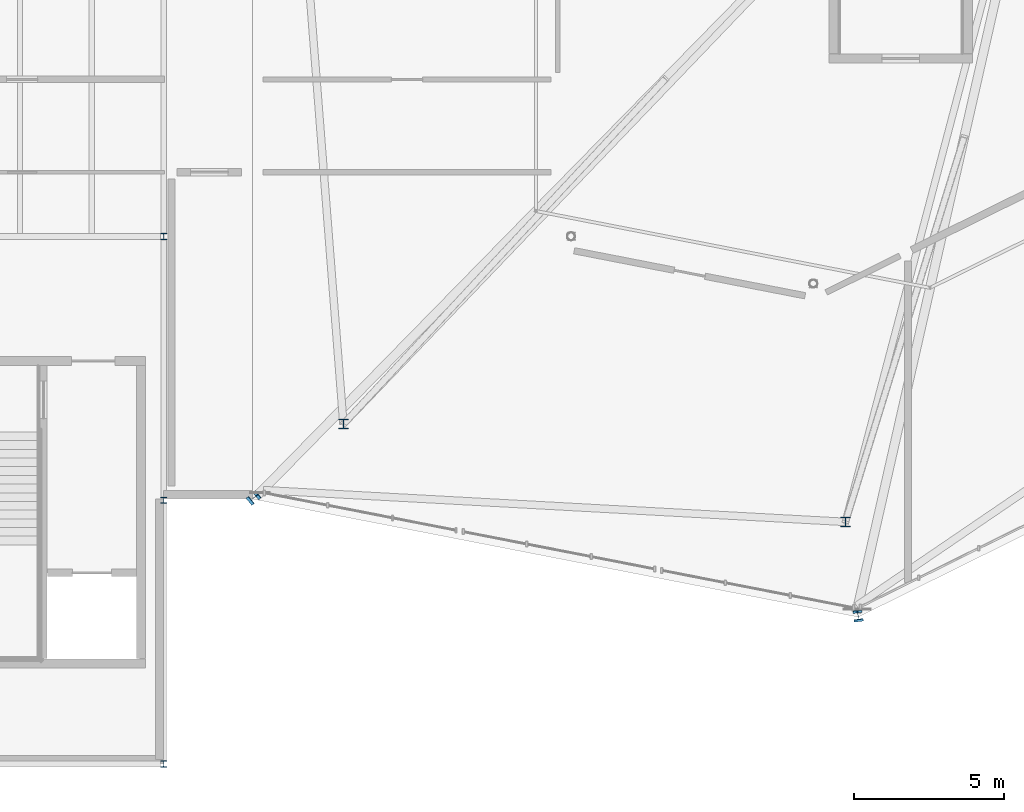
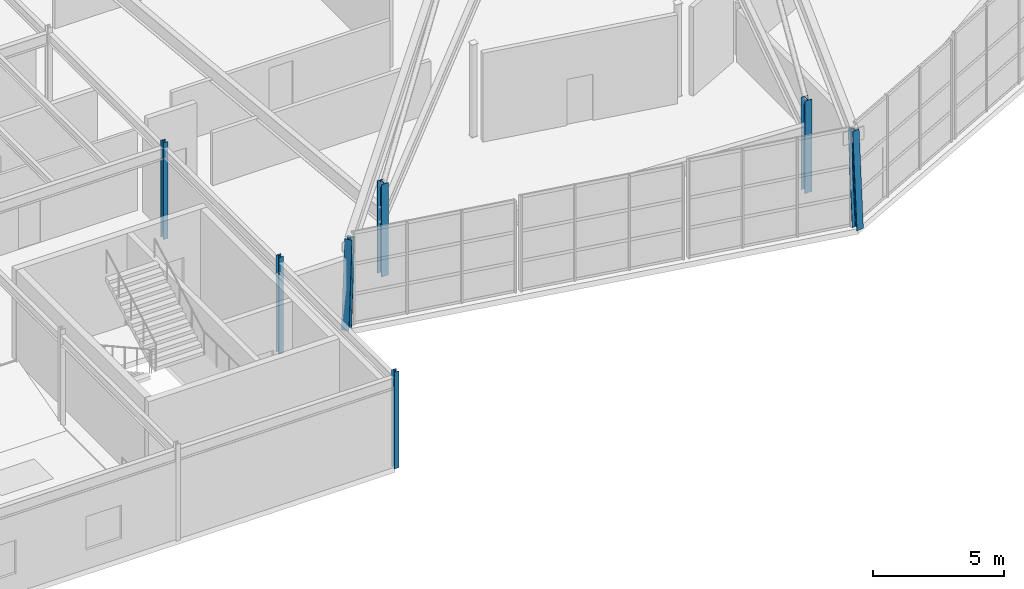
# One storey, part 5 of 50: 7 columns.
"""IFC4 building model written with IfcOpenShell, lengths in metres."""

from ifc_helpers import new_model, si_unit, direction, frame, origin, origin_2d, place, context, subcontext, project, spatial, i_section, extrude, material, material_profile, profile_set, type_object, element, save


model = new_model("IFC4")

# Units and contexts
model_context = context("Model", 3, precision=1e-05, world=origin(), true_north=direction((0.0, 1.0)))
body_context = subcontext(model_context, "Body", "Model", "MODEL_VIEW")
ifc_project = project(units=[si_unit("LENGTHUNIT", "METRE"), si_unit("AREAUNIT", "SQUARE_METRE"), si_unit("VOLUMEUNIT", "CUBIC_METRE"), si_unit("PLANEANGLEUNIT", "RADIAN"), si_unit("MASSUNIT", "GRAM", prefix="KILO")], contexts=[model_context])

# Site, building, storey
site_placement = place(None, origin())
site = spatial("IfcSite", under=ifc_project, at=site_placement, CompositionType="ELEMENT")
building_placement = place(site_placement, origin())
building = spatial("IfcBuilding", under=site, at=building_placement, Name="Sarnbrook Museum", CompositionType="ELEMENT")
storey_placement = place(building_placement, frame((0.0, 0.0, 28.10009765625)))
storey = spatial("IfcBuildingStorey", under=building, at=storey_placement, Name="L05", CompositionType="ELEMENT", Elevation=28.10009765625)

# Columns
ifc_material = material(Name="Structural Steel Grade 300PLUS (AS/NZS 3679.1, fy = 280 MPa for 17 < t <= 40 mm, 300 MPa for t <= 17 mm)", Category="steel")
ifc_material_profile_1 = material_profile(ifc_material, i_section(OverallWidth=0.205078125, OverallDepth=0.2099609375, WebThickness=0.00927734375, FlangeThickness=0.01416015625, FilletRadius=0.01025390625, at=origin_2d()), Name="200UC59.5")
ifc_profile_set_1 = profile_set([ifc_material_profile_1], Name="Structural Steel Grade 300PLUS (AS/NZS 3679.1, fy = 280 MPa for 17 < t <= 40 mm, 300 MPa for t <= 17 mm)")
column_type_1 = type_object("IfcColumnType", Name="COL-UC200", PredefinedType="COLUMN", material=ifc_profile_set_1)
for number, where, z_axis, x_axis, name in (
    (1, (119.199951171875, 56.800048828125, 0.0), (0.0, 0.0, 1.0), (1.0, 0.0, 0.0), "Column 13-G L05"),
    (2, (119.199951171875, 65.60009765625, 0.0), (0.0, 0.0, 1.0), (1.0, 0.0, 0.0), "Column 13-H L05"),
    (3, (119.199951171875, 74.39990234375, 0.0), (0.0, 0.0, 1.0), (1.0, 0.0, 0.0), "Column 13-J L05"),
):
    element("IfcColumn", number, at=place(storey_placement, frame(where, z_axis=z_axis, x_axis=x_axis)), inside=storey, type_object=column_type_1, Name=name, PredefinedType="COLUMN", context=body_context, shape_type="SweptSolid", body=[
        extrude(i_section(OverallWidth=0.205078125, OverallDepth=0.2099609375, WebThickness=0.00927734375, FlangeThickness=0.01416015625, FilletRadius=0.01025390625, at=origin_2d()), origin(), (0.0, 0.0, 1.0), 4.5),
    ])
ifc_material_profile_2 = material_profile(ifc_material, i_section(OverallWidth=0.306884765625, OverallDepth=0.31494140625, WebThickness=0.011962890625, FlangeThickness=0.018798828125, FilletRadius=0.0166015625, at=origin_2d()), Name="310UC118")
ifc_profile_set_2 = profile_set([ifc_material_profile_2], Name="Structural Steel Grade 300PLUS (AS/NZS 3679.1, fy = 280 MPa for 17 < t <= 40 mm, 300 MPa for t <= 17 mm)")
column_type_2 = type_object("IfcColumnType", Name="COL-UC310", PredefinedType="COLUMN", material=ifc_profile_set_2)
column_1_placement = place(storey_placement, frame((122.166748046875, 65.644287109375, 0.034912109375), z_axis=(0.062453755239, 0.051450286261, 0.996720821745), x_axis=(-0.635838190317, 0.771822386132, 0.0)))
element("IfcColumn", 4, at=column_1_placement, inside=storey, type_object=column_type_2, Name="Raking Crystal Rib Column V1 L05", PredefinedType="COLUMN", context=body_context, shape_type="SweptSolid", body=[
    extrude(i_section(OverallWidth=0.306884765625, OverallDepth=0.31494140625, WebThickness=0.011962890625, FlangeThickness=0.018798828125, FilletRadius=0.0166015625, at=origin_2d()), origin(), (0.0, 0.0, 1.0), 4.0380859375),
])
column_2_placement = place(storey_placement, frame((125.199951171875, 68.143310546875, 0.0), z_axis=(0.0, 0.0, 1.0), x_axis=(1.0, 0.0, 0.0)))
element("IfcColumn", 5, at=column_2_placement, inside=storey, type_object=column_type_2, Name="Crystal Hall Ring Column R1-1 L05", PredefinedType="COLUMN", context=body_context, shape_type="SweptSolid", body=[
    extrude(i_section(OverallWidth=0.306884765625, OverallDepth=0.31494140625, WebThickness=0.011962890625, FlangeThickness=0.018798828125, FilletRadius=0.0166015625, at=origin_2d()), origin(), (0.0, 0.0, 1.0), 4.2998046875),
])
column_3_placement = place(storey_placement, frame((142.3828125, 61.7041015625, 0.034912109375), z_axis=(-0.007896587751, 0.058815963936, 0.998237610135), x_axis=(-0.991107268939, -0.133065327774, 0.0)))
element("IfcColumn", 6, at=column_3_placement, inside=storey, type_object=column_type_2, Name="Raking Crystal Rib Column V2 L05", PredefinedType="COLUMN", context=body_context, shape_type="SweptSolid", body=[
    extrude(i_section(OverallWidth=0.306884765625, OverallDepth=0.31494140625, WebThickness=0.011962890625, FlangeThickness=0.018798828125, FilletRadius=0.0166015625, at=origin_2d()), origin(), (0.0, 0.0, 1.0), 4.48291015625),
])
column_4_placement = place(storey_placement, frame((141.9560546875, 64.87744140625, 0.0), z_axis=(0.0, 0.0, 1.0), x_axis=(1.0, 0.0, 0.0)))
element("IfcColumn", 7, at=column_4_placement, inside=storey, type_object=column_type_2, Name="Crystal Hall Ring Column R1-2 L05", PredefinedType="COLUMN", context=body_context, shape_type="SweptSolid", body=[
    extrude(i_section(OverallWidth=0.306884765625, OverallDepth=0.31494140625, WebThickness=0.011962890625, FlangeThickness=0.018798828125, FilletRadius=0.0166015625, at=origin_2d()), origin(), (0.0, 0.0, 1.0), 4.2998046875),
])

save(model, "model.ifc")
